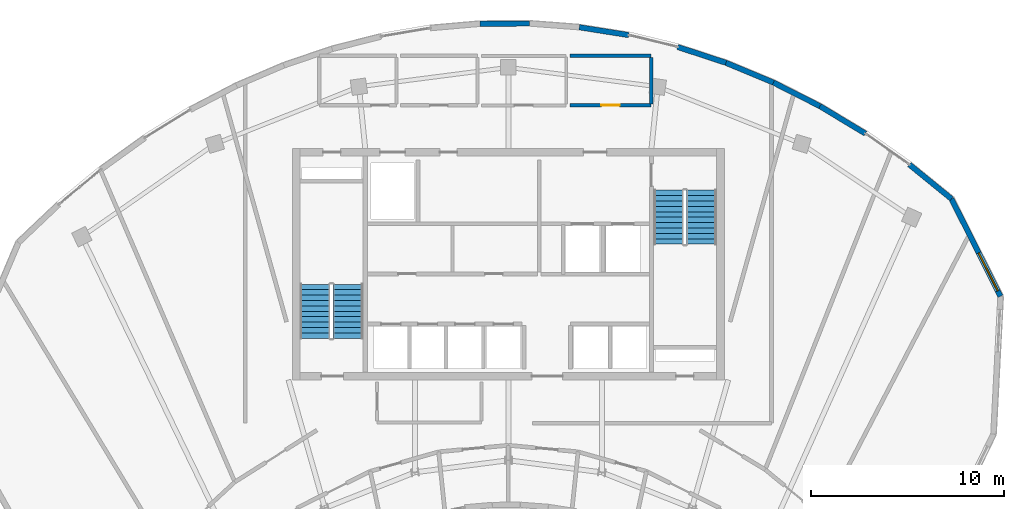
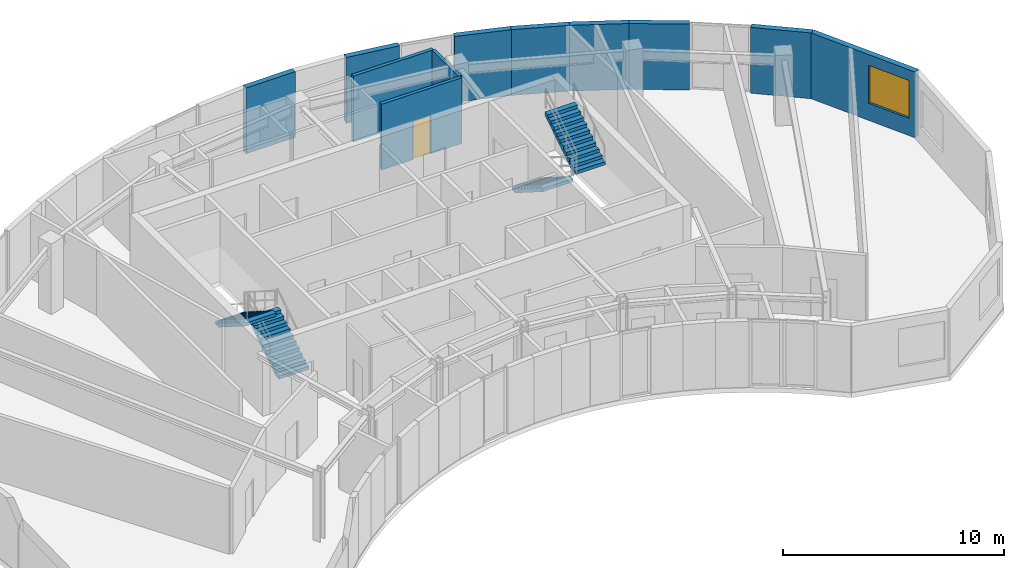
# One storey, part 8 of 9: 11 walls, 4 stair flights, 1 door, 1 window, 2 openings, 2 elements without a shape of their own.
"""IFC4 building model written with IfcOpenShell, lengths in metres."""

from ifc_helpers import new_model, si_unit, direction, frame, frame_2d, origin, place, context, subcontext, project, spatial, polyline, rectangle, outline, extrude, source, transform, mapped, material, layer, layer_set, type_object, type_shapes, element, fill, aggregate, save


model = new_model("IFC4")

# Units and contexts
model_context = context("Model", 3, precision=1e-05, world=origin(), true_north=direction((0.0, 1.0)))
body_context = subcontext(model_context, "Body", "Model", "MODEL_VIEW")
ifc_project = project(units=[si_unit("LENGTHUNIT", "METRE"), si_unit("AREAUNIT", "SQUARE_METRE"), si_unit("VOLUMEUNIT", "CUBIC_METRE"), si_unit("PLANEANGLEUNIT", "RADIAN"), si_unit("MASSUNIT", "GRAM", prefix="KILO")], contexts=[model_context])

# Site, building, storey
site_placement = place(None, origin())
site = spatial("IfcSite", under=ifc_project, at=site_placement, CompositionType="ELEMENT")
building_placement = place(site_placement, origin())
building = spatial("IfcBuilding", under=site, at=building_placement, Name="Breltana Convention Tower", CompositionType="ELEMENT")
storey_placement = place(building_placement, frame((0.0, 0.0, 283.5)))
storey = spatial("IfcBuildingStorey", under=building, at=storey_placement, Name="L69", CompositionType="ELEMENT", Elevation=283.5)

# Wall, opening, window
ifc_material_1 = material(Name="Limestone Buff Insulated Wall", Category="masonry")
ifc_layer_1 = layer(ifc_material_1, 0.280029296875, Name="Limestone Buff Insulated Wall")
ifc_layer_set_1 = layer_set([ifc_layer_1], Name="Limestone Buff Insulated Wall")
wall_type_1 = type_object("IfcWallType", Name="WL-EXT-NOSE-280", PredefinedType="SOLIDWALL", material=ifc_layer_set_1)
shared_shape_1 = source(origin(), body_context, "Body", "SweptSolid", [
    extrude(rectangle(XDim=5.6533203125, YDim=0.280029296875, at=frame_2d((2.82666015625, 0.0))), origin(), (0.0, 0.0, 1.0), 3.639892578125),
])
wall_1_placement = place(storey_placement, frame((70.976318359375, 69.5908203125, 0.0), z_axis=(0.0, 0.0, 1.0), x_axis=(0.449302555419, -0.893379658205, 0.0)))
wall_1 = element("IfcWall", 1, at=wall_1_placement, inside=storey, type_object=wall_type_1, Name="L69 curved limestone nose wall E1", PredefinedType="SOLIDWALL", context=body_context, shape_type="MappedRepresentation", body=[
    mapped(shared_shape_1, transform((0.0, 0.0, 0.0), scale=1.0)),
])
opening_1_placement = place(wall_1_placement, frame((3.139892578125, 0.0, 0.949951171875)))
opening_1 = element("IfcOpeningElement", 2, at=opening_1_placement, cuts=wall_1, Name="Opening W-03", PredefinedType="OPENING", context=body_context, shape_type="SweptSolid", body=[
    extrude(rectangle(XDim=2.199951171875, YDim=2.10009765625, at=frame_2d((1.10009765625, 1.050048828125))), frame((0.0, 0.14990234375, 0.0), z_axis=(0.0, -1.0, 0.0), x_axis=(1.0, 0.0, 0.0)), (0.0, 0.0, 1.0), 0.300048828125),
])
ifc_material_2 = material(Name="Glass Low-E Insulated Window", Category="glass")
window_type = type_object("IfcWindowType", Name="WN-NOSE-2200X2100", PartitioningType="TRIPLE_PANEL_VERTICAL", PredefinedType="WINDOW", material=ifc_material_2)
shared_shape_2 = source(origin(), body_context, "Body", "SweptSolid", [
    extrude(rectangle(XDim=2.199951171875, YDim=2.10009765625, at=frame_2d((1.10009765625, 1.050048828125))), frame((0.0, 0.030029296875, 0.0), z_axis=(0.0, -1.0, 0.0), x_axis=(1.0, 0.0, 0.0)), (0.0, 0.0, 1.0), 0.06005859375),
])
type_shapes(window_type, [shared_shape_2])
window_placement = place(opening_1_placement, origin())
window = element("IfcWindow", 3, at=window_placement, inside=storey, type_object=window_type, Name="L69 nose window E1", OverallHeight=2.10009765625, OverallWidth=2.199951171875, PartitioningType="TRIPLE_PANEL_VERTICAL", PredefinedType="WINDOW", context=body_context, shape_type="MappedRepresentation", body=[
    mapped(shared_shape_2, transform((0.0, 0.0, 0.0), scale=1.0)),
])
fill(opening_1, window)

# Walls
shared_shape_3 = source(origin(), body_context, "Body", "SweptSolid", [
    extrude(rectangle(XDim=2.578125, YDim=0.280029296875, at=frame_2d((1.2890625, 0.0))), origin(), (0.0, 0.0, 1.0), 3.639892578125),
])
wall_2_placement = place(storey_placement, frame((46.52685546875, 78.668212890625, 0.0), z_axis=(0.0, 0.0, 1.0), x_axis=(0.999982204439, 0.005965802924, 0.0)))
element("IfcWall", 4, at=wall_2_placement, inside=storey, type_object=wall_type_1, Name="L69 curved limestone nose wall E26", PredefinedType="SOLIDWALL", context=body_context, shape_type="MappedRepresentation", body=[
    mapped(shared_shape_3, transform((0.0, 0.0, 0.0), scale=1.0)),
])
shared_shape_4 = source(origin(), body_context, "Body", "SweptSolid", [
    extrude(rectangle(XDim=2.592529296875, YDim=0.280029296875, at=frame_2d((1.29638671875, 0.0))), origin(), (0.0, 0.0, 1.0), 3.639892578125),
])
wall_3_placement = place(storey_placement, frame((51.6787109375, 78.487548828125, 0.0), z_axis=(0.0, 0.0, 1.0), x_axis=(0.987661204406, -0.156605700126, 0.0)))
element("IfcWall", 5, at=wall_3_placement, inside=storey, type_object=wall_type_1, Name="L69 curved limestone nose wall E28", PredefinedType="SOLIDWALL", context=body_context, shape_type="MappedRepresentation", body=[
    mapped(shared_shape_4, transform((0.0, 0.0, 0.0), scale=1.0)),
])
shared_shape_5 = source(origin(), body_context, "Body", "SweptSolid", [
    extrude(rectangle(XDim=2.63623046875, YDim=0.280029296875, at=frame_2d((1.318115234375, 0.0))), origin(), (0.0, 0.0, 1.0), 3.639892578125),
])
wall_4_placement = place(storey_placement, frame((56.776611328125, 77.466796875, 0.0), z_axis=(0.0, 0.0, 1.0), x_axis=(0.950200321617, -0.311639774097, 0.0)))
element("IfcWall", 6, at=wall_4_placement, inside=storey, type_object=wall_type_1, Name="L69 curved limestone nose wall E29", PredefinedType="SOLIDWALL", context=body_context, shape_type="MappedRepresentation", body=[
    mapped(shared_shape_5, transform((0.0, 0.0, 0.0), scale=1.0)),
])
shared_shape_6 = source(origin(), body_context, "Body", "SweptSolid", [
    extrude(rectangle(XDim=2.668212890625, YDim=0.280029296875, at=frame_2d((1.333984375, 0.0))), origin(), (0.0, 0.0, 1.0), 3.639892578125),
])
wall_5_placement = place(storey_placement, frame((59.281494140625, 76.645263671875, 0.0), z_axis=(0.0, 0.0, 1.0), x_axis=(0.923290633029, -0.384102078828, 0.0)))
element("IfcWall", 7, at=wall_5_placement, inside=storey, type_object=wall_type_1, Name="L69 curved limestone nose wall E30", PredefinedType="SOLIDWALL", context=body_context, shape_type="MappedRepresentation", body=[
    mapped(shared_shape_6, transform((0.0, 0.0, 0.0), scale=1.0)),
])
shared_shape_7 = source(origin(), body_context, "Body", "SweptSolid", [
    extrude(rectangle(XDim=2.70556640625, YDim=0.280029296875, at=frame_2d((1.352783203125, 0.0))), origin(), (0.0, 0.0, 1.0), 3.639892578125),
])
wall_6_placement = place(storey_placement, frame((61.7451171875, 75.620361328125, 0.0), z_axis=(0.0, 0.0, 1.0), x_axis=(0.891648836287, -0.452727680564, 0.0)))
element("IfcWall", 8, at=wall_6_placement, inside=storey, type_object=wall_type_1, Name="L69 curved limestone nose wall E31", PredefinedType="SOLIDWALL", context=body_context, shape_type="MappedRepresentation", body=[
    mapped(shared_shape_7, transform((0.0, 0.0, 0.0), scale=1.0)),
])
shared_shape_8 = source(origin(), body_context, "Body", "SweptSolid", [
    extrude(rectangle(XDim=2.748291015625, YDim=0.280029296875, at=frame_2d((1.3740234375, 0.0))), origin(), (0.0, 0.0, 1.0), 3.639892578125),
])
wall_7_placement = place(storey_placement, frame((64.157470703125, 74.3955078125, 0.0), z_axis=(0.0, 0.0, 1.0), x_axis=(0.856149718453, -0.516727838996, 0.0)))
element("IfcWall", 9, at=wall_7_placement, inside=storey, type_object=wall_type_1, Name="L69 curved limestone nose wall E32", PredefinedType="SOLIDWALL", context=body_context, shape_type="MappedRepresentation", body=[
    mapped(shared_shape_8, transform((0.0, 0.0, 0.0), scale=1.0)),
])
shared_shape_9 = source(origin(), body_context, "Body", "SweptSolid", [
    extrude(rectangle(XDim=2.811767578125, YDim=0.280029296875, at=frame_2d((1.40576171875, 0.0))), origin(), (0.0, 0.0, 1.0), 3.639892578125),
])
wall_8_placement = place(storey_placement, frame((68.794677734375, 71.36474609375, 0.0), z_axis=(0.0, 0.0, 1.0), x_axis=(0.775880230716, -0.630880232361, 0.0)))
element("IfcWall", 10, at=wall_8_placement, inside=storey, type_object=wall_type_1, Name="L69 curved limestone nose wall E33", PredefinedType="SOLIDWALL", context=body_context, shape_type="MappedRepresentation", body=[
    mapped(shared_shape_9, transform((0.0, 0.0, 0.0), scale=1.0)),
])
ifc_material_3 = material(Name="Cement Board Wet-Area Partition")
ifc_layer_2 = layer(ifc_material_3, 0.175048828125, Name="Cement Board Wet-Area Partition")
ifc_layer_set_2 = layer_set([ifc_layer_2], Name="Cement Board Wet-Area Partition")
wall_type_2 = type_object("IfcWallType", Name="WL-WET-175", PredefinedType="PARTITIONING", material=ifc_layer_set_2)
shared_shape_10 = source(origin(), body_context, "Body", "SweptSolid", [
    extrude(rectangle(XDim=2.402587890625, YDim=0.175048828125, at=frame_2d((1.201171875, 0.0))), origin(), (0.0, 0.0, 1.0), 3.639892578125),
])
wall_9_placement = place(storey_placement, frame((55.39990234375, 74.518798828125, 0.0), z_axis=(0.0, 0.0, 1.0), x_axis=(0.0, 1.0, 0.0)))
element("IfcWall", 11, at=wall_9_placement, inside=storey, type_object=wall_type_2, Name="L69 interior partition W-L69-WCA-E", PredefinedType="PARTITIONING", context=body_context, shape_type="MappedRepresentation", body=[
    mapped(shared_shape_10, transform((0.0, 0.0, 0.0), scale=1.0)),
])

# Wall, opening, door
shared_shape_11 = source(origin(), body_context, "Body", "SweptSolid", [
    extrude(rectangle(XDim=4.199951171875, YDim=0.175048828125, at=frame_2d((2.10009765625, 0.0))), origin(), (0.0, 0.0, 1.0), 3.639892578125),
])
wall_10_placement = place(storey_placement, frame((51.199951171875, 74.43994140625, 0.0), z_axis=(0.0, 0.0, 1.0), x_axis=(1.0, 0.0, 0.0)))
wall_10 = element("IfcWall", 12, at=wall_10_placement, inside=storey, type_object=wall_type_2, Name="L69 interior partition W-L69-WCA-S", PredefinedType="PARTITIONING", context=body_context, shape_type="MappedRepresentation", body=[
    mapped(shared_shape_11, transform((0.0, 0.0, 0.0), scale=1.0)),
])
opening_2_placement = place(wall_10_placement, frame((1.625, 0.0, 0.0)))
opening_2 = element("IfcOpeningElement", 13, at=opening_2_placement, cuts=wall_10, Name="Opening D-16", PredefinedType="OPENING", context=body_context, shape_type="SweptSolid", body=[
    extrude(rectangle(XDim=0.949951171875, YDim=2.1201171875, at=frame_2d((0.47509765625, 1.06005859375))), frame((0.0, 0.09765625, 0.0), z_axis=(0.0, -1.0, 0.0), x_axis=(1.0, 0.0, 0.0)), (0.0, 0.0, 1.0), 0.195068359375),
])
ifc_material_4 = material(Name="Timber Laminate Accessible Door", Category="wood")
door_type = type_object("IfcDoorType", Name="DR-ACC-950", OperationType="NOTDEFINED", PredefinedType="DOOR", material=ifc_material_4)
shared_shape_12 = source(origin(), body_context, "Body", "SweptSolid", [
    extrude(rectangle(XDim=0.949951171875, YDim=2.1201171875, at=frame_2d((0.47509765625, 1.06005859375))), frame((0.0, 0.02490234375, 0.0), z_axis=(0.0, -1.0, 0.0), x_axis=(1.0, 0.0, 0.0)), (0.0, 0.0, 1.0), 0.050048828125),
])
type_shapes(door_type, [shared_shape_12])
door_placement = place(opening_2_placement, origin())
door = element("IfcDoor", 14, at=door_placement, inside=storey, type_object=door_type, Name="L69 interior door D-L69-WCA", OperationType="SINGLE_SWING_RIGHT", OverallHeight=2.1201171875, OverallWidth=0.949951171875, PredefinedType="DOOR", context=body_context, shape_type="MappedRepresentation", body=[
    mapped(shared_shape_12, transform((0.0, 0.0, 0.0), scale=1.0)),
])
fill(opening_2, door)

# Wall
ifc_material_5 = material(Name="Moisture-Resistant Gypsum Chase Wall")
ifc_layer_3 = layer(ifc_material_5, 0.179931640625, Name="Moisture-Resistant Gypsum Chase Wall")
ifc_layer_set_3 = layer_set([ifc_layer_3], Name="Moisture-Resistant Gypsum Chase Wall")
wall_type_3 = type_object("IfcWallType", Name="WL-PLUMB-180", PredefinedType="PLUMBINGWALL", material=ifc_layer_set_3)
shared_shape_13 = source(origin(), body_context, "Body", "SweptSolid", [
    extrude(rectangle(XDim=4.199951171875, YDim=0.179931640625, at=frame_2d((2.10009765625, 0.0))), origin(), (0.0, 0.0, 1.0), 3.639892578125),
])
wall_11_placement = place(storey_placement, frame((51.199951171875, 77.0, 0.0), z_axis=(0.0, 0.0, 1.0), x_axis=(1.0, 0.0, 0.0)))
element("IfcWall", 15, at=wall_11_placement, inside=storey, type_object=wall_type_3, Name="L69 interior partition W-L69-WCA-N", PredefinedType="PLUMBINGWALL", context=body_context, shape_type="MappedRepresentation", body=[
    mapped(shared_shape_13, transform((0.0, 0.0, 0.0), scale=1.0)),
])

# Stair, stair flights
ifc_material_6 = material(Name="Concrete C40/50", Category="concrete")
stair_type = type_object("IfcStairType", Name="ST-DOG-1560-R177", PredefinedType="HALF_TURN_STAIR", material=ifc_material_6)
stair_1_placement = place(storey_placement, origin())
stair_1 = element("IfcStair", 16, at=stair_1_placement, inside=storey, type_object=stair_type, Name="L69 Protected Core Exit Stair ST-1", PredefinedType="HALF_TURN_STAIR")
stair_flight_type = type_object("IfcStairFlightType", Name="STF-DOG-1560-N11-R177", PredefinedType="STRAIGHT", material=ifc_material_6)
stair_flight_1_placement = place(storey_placement, frame((39.68994140625, 62.360107421875, 0.0), z_axis=(0.0, 0.0, 1.0), x_axis=(0.0, 1.0, 0.0)))
stair_flight_1 = element("IfcStairFlight", 17, at=stair_flight_1_placement, type_object=stair_flight_type, Name="ST-1 flight 1", NumberOfRisers=11, NumberOfTreads=10, PredefinedType="STRAIGHT", RiserHeight=0.177272727, TreadLength=0.28, context=body_context, shape_type="SweptSolid", body=[
    extrude(outline(polyline([(0.0, 0.0), (0.0, 0.17724609375), (0.280029296875, 0.17724609375), (0.280029296875, 0.3544921875), (0.56005859375, 0.3544921875), (0.56005859375, 0.53173828125), (0.840087890625, 0.53173828125), (0.840087890625, 0.708984375), (1.1201171875, 0.708984375), (1.1201171875, 0.886474609375), (1.39990234375, 0.886474609375), (1.39990234375, 1.063720703125), (1.679931640625, 1.063720703125), (1.679931640625, 1.240966796875), (1.9599609375, 1.240966796875), (1.9599609375, 1.418212890625), (2.239990234375, 1.418212890625), (2.239990234375, 1.595458984375), (2.52001953125, 1.595458984375), (2.52001953125, 1.772705078125), (2.800048828125, 1.772705078125), (2.800048828125, 1.949951171875), (2.800048828125, 1.59521484375), (0.2802734375, 0.0), (0.0, 0.0)])), frame((0.0, 0.780029296875, 0.0), z_axis=(0.0, -1.0, 0.0), x_axis=(1.0, 0.0, 0.0)), (0.0, 0.0, 1.0), 1.56005859375),
])
stair_flight_2_placement = place(storey_placement, frame((37.97998046875, 65.159912109375, 1.949951171875), z_axis=(0.0, 0.0, 1.0), x_axis=(0.0, -1.0, 0.0)))
stair_flight_2 = element("IfcStairFlight", 18, at=stair_flight_2_placement, type_object=stair_flight_type, Name="ST-1 flight 2", NumberOfRisers=11, NumberOfTreads=10, PredefinedType="STRAIGHT", RiserHeight=0.177272727, TreadLength=0.28, context=body_context, shape_type="SweptSolid", body=[
    extrude(outline(polyline([(0.0, 0.0), (0.0, 0.17724609375), (0.280029296875, 0.17724609375), (0.280029296875, 0.3544921875), (0.56005859375, 0.3544921875), (0.56005859375, 0.53173828125), (0.840087890625, 0.53173828125), (0.840087890625, 0.708984375), (1.1201171875, 0.708984375), (1.1201171875, 0.886474609375), (1.39990234375, 0.886474609375), (1.39990234375, 1.063720703125), (1.679931640625, 1.063720703125), (1.679931640625, 1.240966796875), (1.9599609375, 1.240966796875), (1.9599609375, 1.418212890625), (2.239990234375, 1.418212890625), (2.239990234375, 1.595458984375), (2.52001953125, 1.595458984375), (2.52001953125, 1.772705078125), (2.800048828125, 1.772705078125), (2.800048828125, 1.949951171875), (2.800048828125, 1.59521484375), (0.2802734375, 0.0), (0.0, 0.0)])), frame((0.0, 0.780029296875, 0.0), z_axis=(0.0, -1.0, 0.0), x_axis=(1.0, 0.0, 0.0)), (0.0, 0.0, 1.0), 1.56005859375),
])
aggregate(stair_1, [stair_flight_1, stair_flight_2])

stair_2_placement = place(storey_placement, origin())
stair_2 = element("IfcStair", 19, at=stair_2_placement, inside=storey, type_object=stair_type, Name="L69 Protected Core Exit Stair ST-2", PredefinedType="HALF_TURN_STAIR")
stair_flight_3_placement = place(storey_placement, frame((56.31005859375, 70.0400390625, 0.0), z_axis=(0.0, 0.0, 1.0), x_axis=(0.0, -1.0, 0.0)))
stair_flight_3 = element("IfcStairFlight", 20, at=stair_flight_3_placement, type_object=stair_flight_type, Name="ST-2 flight 1", NumberOfRisers=11, NumberOfTreads=10, PredefinedType="STRAIGHT", RiserHeight=0.177272727, TreadLength=0.28, context=body_context, shape_type="SweptSolid", body=[
    extrude(outline(polyline([(0.0, 0.0), (0.0, 0.17724609375), (0.280029296875, 0.17724609375), (0.280029296875, 0.3544921875), (0.56005859375, 0.3544921875), (0.56005859375, 0.53173828125), (0.840087890625, 0.53173828125), (0.840087890625, 0.708984375), (1.1201171875, 0.708984375), (1.1201171875, 0.886474609375), (1.39990234375, 0.886474609375), (1.39990234375, 1.063720703125), (1.679931640625, 1.063720703125), (1.679931640625, 1.240966796875), (1.9599609375, 1.240966796875), (1.9599609375, 1.418212890625), (2.239990234375, 1.418212890625), (2.239990234375, 1.595458984375), (2.52001953125, 1.595458984375), (2.52001953125, 1.772705078125), (2.800048828125, 1.772705078125), (2.800048828125, 1.949951171875), (2.800048828125, 1.59521484375), (0.2802734375, 0.0), (0.0, 0.0)])), frame((0.0, 0.780029296875, 0.0), z_axis=(0.0, -1.0, 0.0), x_axis=(1.0, 0.0, 0.0)), (0.0, 0.0, 1.0), 1.56005859375),
])
stair_flight_4_placement = place(storey_placement, frame((58.02001953125, 67.239990234375, 1.949951171875), z_axis=(0.0, 0.0, 1.0), x_axis=(0.0, 1.0, 0.0)))
stair_flight_4 = element("IfcStairFlight", 21, at=stair_flight_4_placement, type_object=stair_flight_type, Name="ST-2 flight 2", NumberOfRisers=11, NumberOfTreads=10, PredefinedType="STRAIGHT", RiserHeight=0.177272727, TreadLength=0.28, context=body_context, shape_type="SweptSolid", body=[
    extrude(outline(polyline([(0.0, 0.0), (0.0, 0.17724609375), (0.280029296875, 0.17724609375), (0.280029296875, 0.3544921875), (0.56005859375, 0.3544921875), (0.56005859375, 0.53173828125), (0.840087890625, 0.53173828125), (0.840087890625, 0.708984375), (1.1201171875, 0.708984375), (1.1201171875, 0.886474609375), (1.39990234375, 0.886474609375), (1.39990234375, 1.063720703125), (1.679931640625, 1.063720703125), (1.679931640625, 1.240966796875), (1.9599609375, 1.240966796875), (1.9599609375, 1.418212890625), (2.239990234375, 1.418212890625), (2.239990234375, 1.595458984375), (2.52001953125, 1.595458984375), (2.52001953125, 1.772705078125), (2.800048828125, 1.772705078125), (2.800048828125, 1.949951171875), (2.800048828125, 1.59521484375), (0.2802734375, 0.0), (0.0, 0.0)])), frame((0.0, 0.780029296875, 0.0), z_axis=(0.0, -1.0, 0.0), x_axis=(1.0, 0.0, 0.0)), (0.0, 0.0, 1.0), 1.56005859375),
])
aggregate(stair_2, [stair_flight_3, stair_flight_4])

save(model, "model.ifc")
